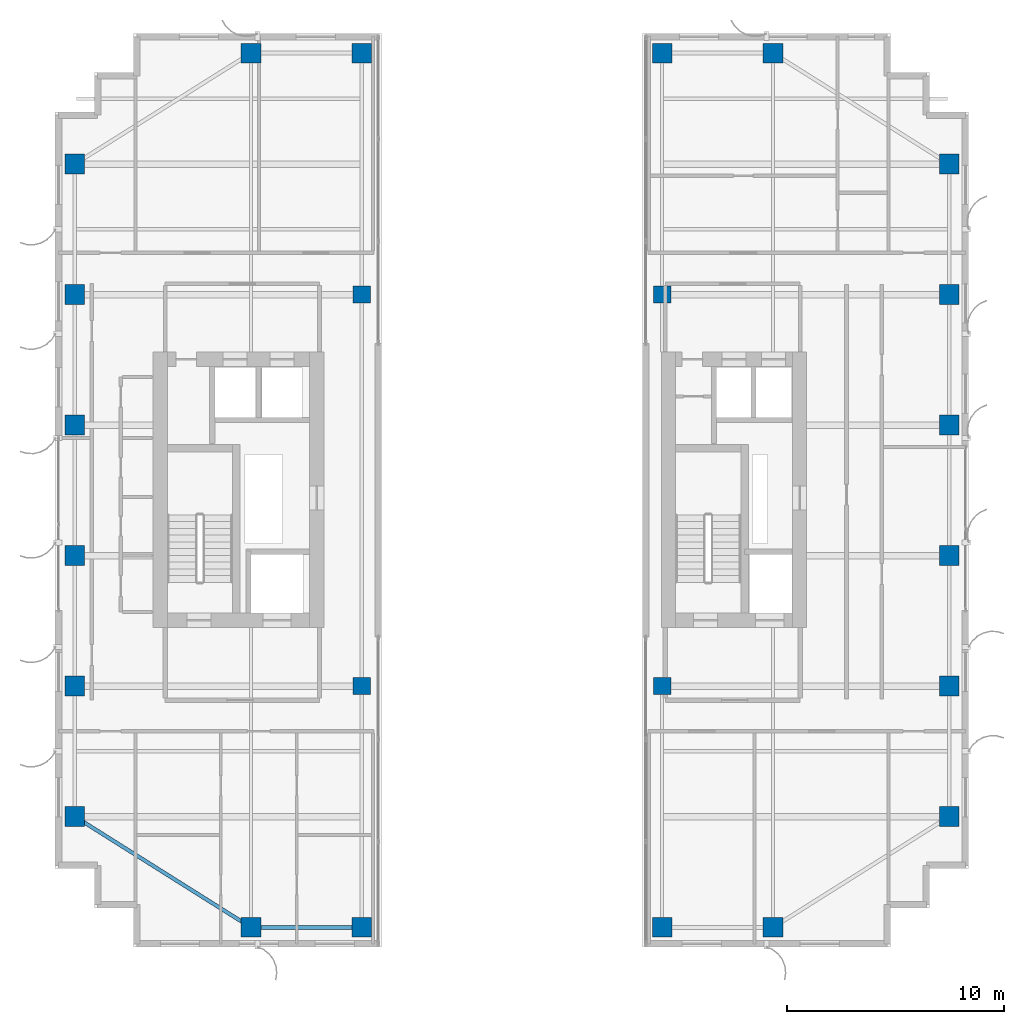
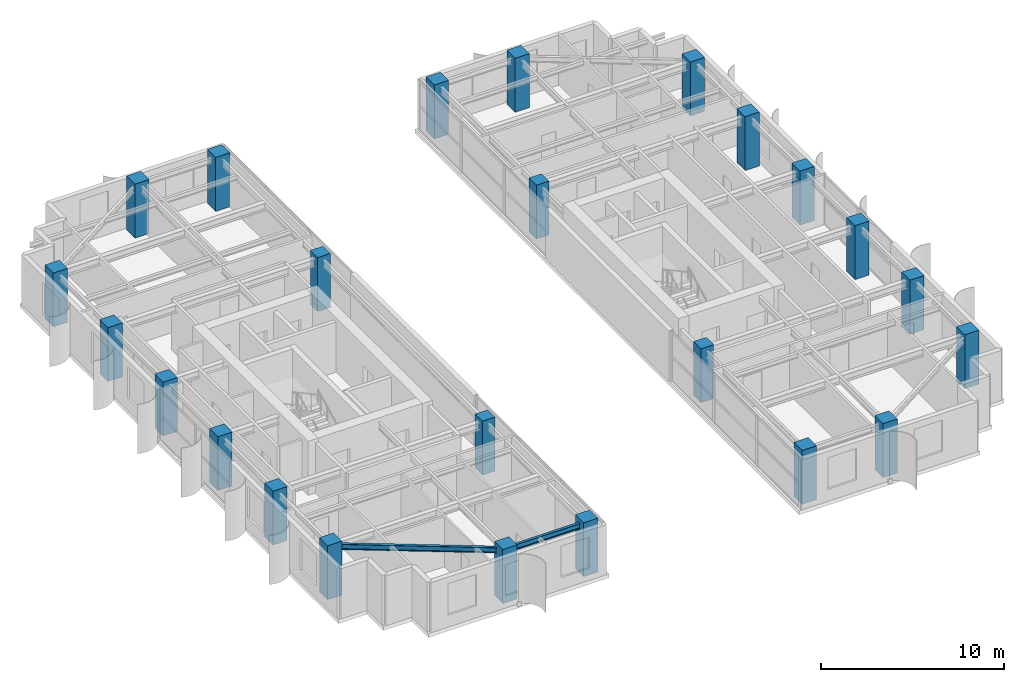
# One storey, part 1 of 22: 24 columns, 2 beams.
"""IFC4 building model written with IfcOpenShell, lengths in metres."""

from ifc_helpers import new_model, si_unit, direction, frame, origin, origin_2d, place, context, subcontext, project, spatial, rectangle, i_section, extrude, source, transform, mapped, material, material_profile, profile_set, type_object, element, save


model = new_model("IFC4")

# Units and contexts
model_context = context("Model", 3, precision=1e-05, world=origin(), true_north=direction((0.0, 1.0)))
body_context = subcontext(model_context, "Body", "Model", "MODEL_VIEW")
ifc_project = project(units=[si_unit("LENGTHUNIT", "METRE"), si_unit("AREAUNIT", "SQUARE_METRE"), si_unit("VOLUMEUNIT", "CUBIC_METRE"), si_unit("PLANEANGLEUNIT", "RADIAN"), si_unit("MASSUNIT", "GRAM", prefix="KILO")], contexts=[model_context])

# Site, building, storey
site_placement = place(None, origin())
site = spatial("IfcSite", under=ifc_project, at=site_placement, CompositionType="ELEMENT")
building_placement = place(site_placement, origin())
building = spatial("IfcBuilding", under=site, at=building_placement, Name="Khoralis Quay Care Tower", CompositionType="ELEMENT")
storey_placement = place(building_placement, frame((0.0, 0.0, 209.699951171875)))
storey = spatial("IfcBuildingStorey", under=building, at=storey_placement, Name="L55", CompositionType="ELEMENT", Elevation=209.699951171875)

# Columns
ifc_material_1 = material(Name="Concrete C65/80", Category="concrete")
ifc_material_profile_1 = material_profile(ifc_material_1, rectangle(XDim=0.89990234375, YDim=0.89990234375, at=origin_2d()), Name="Concrete C65/80")
ifc_profile_set_1 = profile_set([ifc_material_profile_1], Name="Concrete C65/80")
column_type_1 = type_object("IfcColumnType", Name="COL-C900", PredefinedType="COLUMN", material=ifc_profile_set_1)
shared_shape_1 = source(origin(), body_context, "Body", "SweptSolid", [
    extrude(rectangle(XDim=0.89990234375, YDim=0.89990234375, at=origin_2d()), origin(), (0.0, 0.0, 1.0), 3.60009765625),
])
for number, where, z_axis, x_axis, name in (
    (1, (12.0, 0.89990234375, 0.0), (0.0, 0.0, 1.0), (1.0, 0.0, 0.0), "COL-TWR-L55-01"),
    (2, (12.0, 41.10009765625, 0.0), (0.0, 0.0, 1.0), (1.0, 0.0, 0.0), "COL-TWR-L55-02"),
    (3, (17.10009765625, 0.89990234375, 0.0), (0.0, 0.0, 1.0), (1.0, 0.0, 0.0), "COL-TWR-L55-03"),
    (4, (17.10009765625, 41.10009765625, 0.0), (0.0, 0.0, 1.0), (1.0, 0.0, 0.0), "COL-TWR-L55-04"),
    (5, (30.89990234375, 0.89990234375, 0.0), (0.0, 0.0, 1.0), (1.0, 0.0, 0.0), "COL-TWR-L55-05"),
    (6, (30.89990234375, 41.10009765625, 0.0), (0.0, 0.0, 1.0), (1.0, 0.0, 0.0), "COL-TWR-L55-06"),
    (7, (36.0, 0.89990234375, 0.0), (0.0, 0.0, 1.0), (1.0, 0.0, 0.0), "COL-TWR-L55-07"),
    (8, (36.0, 41.10009765625, 0.0), (0.0, 0.0, 1.0), (1.0, 0.0, 0.0), "COL-TWR-L55-08"),
    (9, (3.89990234375, 6.0, 0.0), (0.0, 0.0, 1.0), (1.0, 0.0, 0.0), "COL-TWR-L55-09"),
    (10, (44.10009765625, 6.0, 0.0), (0.0, 0.0, 1.0), (1.0, 0.0, 0.0), "COL-TWR-L55-10"),
    (11, (3.89990234375, 12.0, 0.0), (0.0, 0.0, 1.0), (1.0, 0.0, 0.0), "COL-TWR-L55-11"),
    (12, (44.10009765625, 12.0, 0.0), (0.0, 0.0, 1.0), (1.0, 0.0, 0.0), "COL-TWR-L55-12"),
    (13, (3.89990234375, 18.0, 0.0), (0.0, 0.0, 1.0), (1.0, 0.0, 0.0), "COL-TWR-L55-13"),
    (14, (44.10009765625, 18.0, 0.0), (0.0, 0.0, 1.0), (1.0, 0.0, 0.0), "COL-TWR-L55-14"),
    (15, (3.89990234375, 24.0, 0.0), (0.0, 0.0, 1.0), (1.0, 0.0, 0.0), "COL-TWR-L55-15"),
    (16, (44.10009765625, 24.0, 0.0), (0.0, 0.0, 1.0), (1.0, 0.0, 0.0), "COL-TWR-L55-16"),
    (17, (3.89990234375, 30.0, 0.0), (0.0, 0.0, 1.0), (1.0, 0.0, 0.0), "COL-TWR-L55-17"),
    (18, (44.10009765625, 30.0, 0.0), (0.0, 0.0, 1.0), (1.0, 0.0, 0.0), "COL-TWR-L55-18"),
    (19, (3.89990234375, 36.0, 0.0), (0.0, 0.0, 1.0), (1.0, 0.0, 0.0), "COL-TWR-L55-19"),
    (20, (44.10009765625, 36.0, 0.0), (0.0, 0.0, 1.0), (1.0, 0.0, 0.0), "COL-TWR-L55-20"),
):
    element("IfcColumn", number, at=place(storey_placement, frame(where, z_axis=z_axis, x_axis=x_axis)), inside=storey, type_object=column_type_1, Name=name, PredefinedType="COLUMN", context=body_context, shape_type="MappedRepresentation", body=[
        mapped(shared_shape_1, transform((0.0, 0.0, 0.0), scale=1.0)),
    ])
ifc_material_2 = material(Name="Concrete C50/60", Category="concrete")
ifc_material_profile_2 = material_profile(ifc_material_2, rectangle(XDim=0.800048828125, YDim=0.800048828125, at=origin_2d()), Name="Concrete C50/60")
ifc_profile_set_2 = profile_set([ifc_material_profile_2], Name="Concrete C50/60")
column_type_2 = type_object("IfcColumnType", Name="COL-C800", PredefinedType="COLUMN", material=ifc_profile_set_2)
shared_shape_2 = source(origin(), body_context, "Body", "SweptSolid", [
    extrude(rectangle(XDim=0.800048828125, YDim=0.800048828125, at=origin_2d()), origin(), (0.0, 0.0, 1.0), 3.60009765625),
])
for number, where, z_axis, x_axis, name in (
    (21, (17.10009765625, 12.0, 0.0), (0.0, 0.0, 1.0), (1.0, 0.0, 0.0), "COL-TWR-L55-21"),
    (22, (17.10009765625, 30.0, 0.0), (0.0, 0.0, 1.0), (1.0, 0.0, 0.0), "COL-TWR-L55-22"),
    (23, (30.89990234375, 12.0, 0.0), (0.0, 0.0, 1.0), (1.0, 0.0, 0.0), "COL-TWR-L55-23"),
    (24, (30.89990234375, 30.0, 0.0), (0.0, 0.0, 1.0), (1.0, 0.0, 0.0), "COL-TWR-L55-24"),
):
    element("IfcColumn", number, at=place(storey_placement, frame(where, z_axis=z_axis, x_axis=x_axis)), inside=storey, type_object=column_type_2, Name=name, PredefinedType="COLUMN", context=body_context, shape_type="MappedRepresentation", body=[
        mapped(shared_shape_2, transform((0.0, 0.0, 0.0), scale=1.0)),
    ])

# Beams
ifc_material_3 = material(Name="Steel S355", Category="steel")
ifc_material_profile_3 = material_profile(ifc_material_3, i_section(OverallWidth=0.169921875, OverallDepth=0.360107421875, WebThickness=0.008056640625, FlangeThickness=0.0126953125, FilletRadius=0.01806640625, at=origin_2d()), Name="Steel S355")
ifc_profile_set_3 = profile_set([ifc_material_profile_3], Name="Steel S355")
beam_type = type_object("IfcBeamType", Name="BM-IPE360", PredefinedType="SPANDREL", material=ifc_profile_set_3)
shared_shape_3 = source(origin(), body_context, "Body", "SweptSolid", [
    extrude(i_section(OverallWidth=0.169921875, OverallDepth=0.360107421875, WebThickness=0.008056640625, FlangeThickness=0.0126953125, FilletRadius=0.01806640625, at=origin_2d()), origin(), (0.0, 0.0, 1.0), 5.10009765625),
])
beam_1_placement = place(storey_placement, frame((12.0, 0.89990234375, 3.16015625), z_axis=(1.0, 0.0, 0.0), x_axis=(0.0, 1.0, 0.0)))
element("IfcBeam", 25, at=beam_1_placement, inside=storey, type_object=beam_type, Name="BM-TSP-L55-01", PredefinedType="SPANDREL", context=body_context, shape_type="MappedRepresentation", body=[
    mapped(shared_shape_3, transform((0.0, 0.0, 0.0), scale=1.0)),
])
shared_shape_4 = source(origin(), body_context, "Body", "SweptSolid", [
    extrude(i_section(OverallWidth=0.169921875, OverallDepth=0.360107421875, WebThickness=0.008056640625, FlangeThickness=0.0126953125, FilletRadius=0.01806640625, at=origin_2d()), origin(), (0.0, 0.0, 1.0), 9.572021484375),
])
beam_2_placement = place(storey_placement, frame((12.0, 0.89990234375, 3.16015625), z_axis=(-0.846231136359, 0.532815975602, 0.0), x_axis=(-0.532815975602, -0.846231136359, 0.0)))
element("IfcBeam", 26, at=beam_2_placement, inside=storey, type_object=beam_type, Name="BM-TCR-L55-15", PredefinedType="SPANDREL", context=body_context, shape_type="MappedRepresentation", body=[
    mapped(shared_shape_4, transform((0.0, 0.0, 0.0), scale=1.0)),
])

save(model, "model.ifc")
